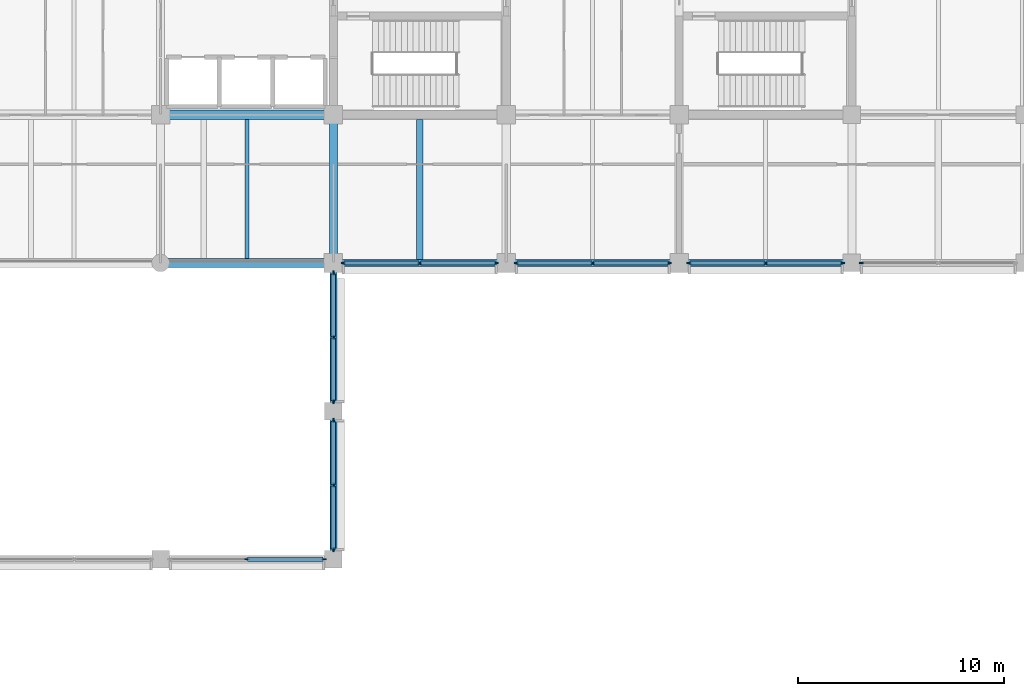
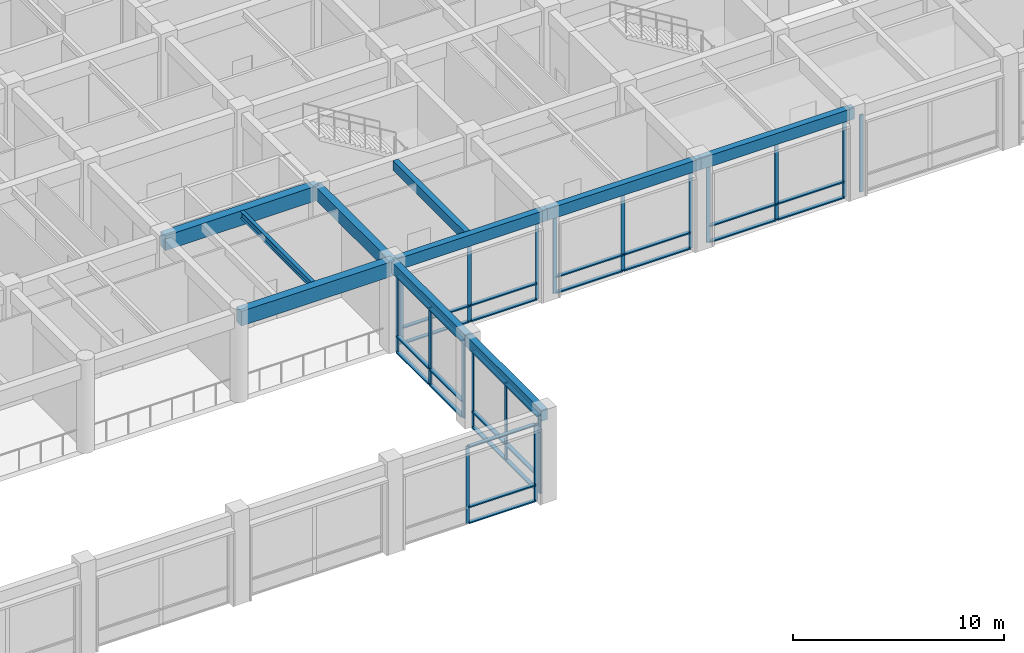
# One storey, part 9 of 51: 51 members, 10 beams, 7 elements without a shape of their own.
"""IFC4 building model written with IfcOpenShell, lengths in metres."""

from ifc_helpers import new_model, si_unit, direction, frame, origin, origin_2d, place, context, subcontext, project, spatial, rectangle, i_section, extrude, material, layer, layer_set, material_profile, profile_set, type_object, element, aggregate, save


model = new_model("IFC4")

# Units and contexts
model_context = context("Model", 3, precision=1e-05, world=origin(), true_north=direction((0.0, 1.0)))
body_context = subcontext(model_context, "Body", "Model", "MODEL_VIEW")
ifc_project = project(units=[si_unit("LENGTHUNIT", "METRE"), si_unit("AREAUNIT", "SQUARE_METRE"), si_unit("VOLUMEUNIT", "CUBIC_METRE"), si_unit("PLANEANGLEUNIT", "RADIAN"), si_unit("MASSUNIT", "GRAM", prefix="KILO")], contexts=[model_context])

# Site, building, storey
site_placement = place(None, origin())
site = spatial("IfcSite", under=ifc_project, at=site_placement, CompositionType="ELEMENT")
building_placement = place(site_placement, origin())
building = spatial("IfcBuilding", under=site, at=building_placement, Name="Chengyuan Square Courthouse", CompositionType="ELEMENT")
storey_placement = place(building_placement, frame((0.0, 0.0, 10.800048828125)))
storey = spatial("IfcBuildingStorey", under=building, at=storey_placement, Name="L03", CompositionType="ELEMENT", Elevation=10.800048828125)

# Beams
ifc_material_1 = material(Name="Concrete C40", Category="concrete")
ifc_material_profile_1 = material_profile(ifc_material_1, rectangle(XDim=0.449951171875, YDim=0.85009765625, at=origin_2d()), Name="RC-BM-450x850")
ifc_profile_set_1 = profile_set([ifc_material_profile_1], Name="Concrete C40")
beam_type_1 = type_object("IfcBeamType", Name="BM-01", PredefinedType="USERDEFINED", material=ifc_profile_set_1)
for number, where, z_axis, x_axis, name in (
    (1, (92.39990234375, 79.199951171875, 4.695068359375), (1.0, 0.0, 0.0), (0.0, 1.0, 0.0), "Girder BM-L03-2535"),
    (2, (92.39990234375, 86.39990234375, 4.695068359375), (1.0, 0.0, 0.0), (0.0, 1.0, 0.0), "Girder BM-L03-2555"),
):
    element("IfcBeam", number, at=place(storey_placement, frame(where, z_axis=z_axis, x_axis=x_axis)), inside=storey, type_object=beam_type_1, Name=name, ObjectType="GIRDER", PredefinedType="USERDEFINED", context=body_context, shape_type="SweptSolid", body=[
        extrude(rectangle(XDim=0.449951171875, YDim=0.85009765625, at=origin_2d()), origin(), (0.0, 0.0, 1.0), 8.400146484375),
    ])
ifc_material_profile_2 = material_profile(ifc_material_1, rectangle(XDim=0.39990234375, YDim=0.75, at=origin_2d()), Name="RC-BM-400x750")
ifc_profile_set_2 = profile_set([ifc_material_profile_2], Name="Concrete C40")
beam_type_2 = type_object("IfcBeamType", Name="BM-02", PredefinedType="USERDEFINED", material=ifc_profile_set_2)
beam_1_placement = place(storey_placement, frame((100.800048828125, 79.199951171875, 4.744873046875), z_axis=(0.0, 1.0, 0.0), x_axis=(-1.0, 0.0, 0.0)))
element("IfcBeam", 3, at=beam_1_placement, inside=storey, type_object=beam_type_2, Name="Girder BM-L03-2702", ObjectType="GIRDER", PredefinedType="USERDEFINED", context=body_context, shape_type="SweptSolid", body=[
    extrude(rectangle(XDim=0.39990234375, YDim=0.75, at=origin_2d()), origin(), (0.0, 0.0, 1.0), 7.199951171875),
])
ifc_material_profile_3 = material_profile(ifc_material_1, rectangle(XDim=0.35009765625, YDim=0.64990234375, at=origin_2d()), Name="RC-BM-350x650")
ifc_profile_set_3 = profile_set([ifc_material_profile_3], Name="Concrete C40")
beam_type_3 = type_object("IfcBeamType", Name="BM-03", PredefinedType="SPANDREL", material=ifc_profile_set_3)
beam_2_placement = place(storey_placement, frame((100.800048828125, 79.199951171875, 4.794921875), z_axis=(1.0, 0.0, 0.0), x_axis=(0.0, 1.0, 0.0)))
element("IfcBeam", 4, at=beam_2_placement, inside=storey, type_object=beam_type_3, Name="Girder BM-L03-2536", PredefinedType="SPANDREL", context=body_context, shape_type="SweptSolid", body=[
    extrude(rectangle(XDim=0.35009765625, YDim=0.64990234375, at=origin_2d()), origin(), (0.0, 0.0, 1.0), 8.39990234375),
])
beam_3_placement = place(storey_placement, frame((109.199951171875, 79.199951171875, 4.794921875), z_axis=(1.0, 0.0, 0.0), x_axis=(0.0, 1.0, 0.0)))
element("IfcBeam", 5, at=beam_3_placement, inside=storey, type_object=beam_type_3, Name="Girder BM-L03-2537", PredefinedType="SPANDREL", context=body_context, shape_type="SweptSolid", body=[
    extrude(rectangle(XDim=0.35009765625, YDim=0.64990234375, at=origin_2d()), origin(), (0.0, 0.0, 1.0), 8.400146484375),
])
beam_4_placement = place(storey_placement, frame((117.60009765625, 79.199951171875, 4.794921875), z_axis=(1.0, 0.0, 0.0), x_axis=(0.0, 1.0, 0.0)))
element("IfcBeam", 6, at=beam_4_placement, inside=storey, type_object=beam_type_3, Name="Girder BM-L03-2538", PredefinedType="SPANDREL", context=body_context, shape_type="SweptSolid", body=[
    extrude(rectangle(XDim=0.35009765625, YDim=0.64990234375, at=origin_2d()), origin(), (0.0, 0.0, 1.0), 8.39990234375),
])
for number, where, z_axis, x_axis, name in (
    (7, (100.800048828125, 64.800048828125, 4.794921875), (0.0, 1.0, 0.0), (-1.0, 0.0, 0.0), "Girder BM-L03-2700"),
    (8, (100.800048828125, 72.0, 4.794921875), (0.0, 1.0, 0.0), (-1.0, 0.0, 0.0), "Girder BM-L03-2701"),
):
    element("IfcBeam", number, at=place(storey_placement, frame(where, z_axis=z_axis, x_axis=x_axis)), inside=storey, type_object=beam_type_3, Name=name, PredefinedType="SPANDREL", context=body_context, shape_type="SweptSolid", body=[
        extrude(rectangle(XDim=0.35009765625, YDim=0.64990234375, at=origin_2d()), origin(), (0.0, 0.0, 1.0), 7.199951171875),
    ])
ifc_material_profile_4 = material_profile(ifc_material_1, rectangle(XDim=0.300048828125, YDim=0.550048828125, at=origin_2d()), Name="RC-BM-300x550")
ifc_profile_set_4 = profile_set([ifc_material_profile_4], Name="Concrete C40")
beam_type_4 = type_object("IfcBeamType", Name="BM-04", PredefinedType="BEAM", material=ifc_profile_set_4)
beam_5_placement = place(storey_placement, frame((105.0, 79.375, 4.844970703125), z_axis=(0.0, 1.0, 0.0), x_axis=(-1.0, 0.0, 0.0)))
element("IfcBeam", 9, at=beam_5_placement, inside=storey, type_object=beam_type_4, Name="Secondary Floor Beam SBM-L03-2806", PredefinedType="BEAM", context=body_context, shape_type="SweptSolid", body=[
    extrude(rectangle(XDim=0.300048828125, YDim=0.550048828125, at=origin_2d()), origin(), (0.0, 0.0, 1.0), 6.800048828125),
])
ifc_material_2 = material(Name="Steel Q355B", Category="steel")
ifc_material_profile_5 = material_profile(ifc_material_2, i_section(OverallWidth=0.199951171875, OverallDepth=0.39990234375, WebThickness=0.008056640625, FlangeThickness=0.012939453125, at=origin_2d()), Name="HN 400x200x8x13")
ifc_profile_set_5 = profile_set([ifc_material_profile_5], Name="Steel Q355B")
beam_type_5 = type_object("IfcBeamType", Name="BM-07", PredefinedType="BEAM", material=ifc_profile_set_5)
beam_6_placement = place(storey_placement, frame((96.60009765625, 79.425048828125, 4.919921875), z_axis=(0.0, 1.0, 0.0), x_axis=(-1.0, 0.0, 0.0)))
element("IfcBeam", 10, at=beam_6_placement, inside=storey, type_object=beam_type_5, Name="Secondary Floor Beam SBM-L03-2802", PredefinedType="BEAM", context=body_context, shape_type="SweptSolid", body=[
    extrude(i_section(OverallWidth=0.199951171875, OverallDepth=0.39990234375, WebThickness=0.008056640625, FlangeThickness=0.012939453125, at=origin_2d()), origin(), (0.0, 0.0, 1.0), 6.75),
])

# Curtain wall, members
ifc_material_3 = material(Name="Unitised Aluminium and Triple Low-E Glass", Category="aluminium")
ifc_layer_1 = layer(ifc_material_3, 0.199951171875)
ifc_layer_set_1 = layer_set([ifc_layer_1], Name="Unitised Aluminium and Triple Low-E Glass")
curtain_wall_type_1 = type_object("IfcCurtainWallType", Name="CW-07", PredefinedType="USERDEFINED", material=ifc_layer_set_1)
curtain_wall_1_placement = place(storey_placement, origin())
curtain_wall_1 = element("IfcCurtainWall", 11, at=curtain_wall_1_placement, inside=storey, type_object=curtain_wall_type_1, Name="Unitised Curtain Wall CW-L03-110", ObjectType="UNITISED CURTAIN WALL", PredefinedType="USERDEFINED")
ifc_material_4 = material(Name="Aluminium 6063-T6 Frame", Category="aluminium")
ifc_material_profile_6 = material_profile(ifc_material_4, rectangle(XDim=0.070068359375, YDim=0.199951171875, at=origin_2d()), Name="CW-MUL-70x200")
ifc_profile_set_6 = profile_set([ifc_material_profile_6], Name="Aluminium 6063-T6 Frame")
member_type_1 = type_object("IfcMemberType", Name="CWM-03", PredefinedType="MULLION", material=ifc_profile_set_6)
member_1_placement = place(storey_placement, frame((96.60009765625, 64.800048828125, 0.0), z_axis=(0.0, 0.0, 1.0), x_axis=(0.0, 1.0, 0.0)))
member_1 = element("IfcMember", 12, at=member_1_placement, type_object=member_type_1, Name="CW-07 mullion 2", PredefinedType="MULLION", context=body_context, shape_type="SweptSolid", body=[
    extrude(rectangle(XDim=0.070068359375, YDim=0.199951171875, at=origin_2d()), origin(), (0.0, 0.0, 1.0), 4.469970703125),
])
member_2_placement = place(storey_placement, frame((100.340087890625, 64.800048828125, 0.0), z_axis=(0.0, 0.0, 1.0), x_axis=(0.0, 1.0, 0.0)))
member_2 = element("IfcMember", 13, at=member_2_placement, type_object=member_type_1, Name="CW-07 mullion 3", PredefinedType="MULLION", context=body_context, shape_type="SweptSolid", body=[
    extrude(rectangle(XDim=0.070068359375, YDim=0.199951171875, at=origin_2d()), origin(), (0.0, 0.0, 1.0), 4.469970703125),
])

curtain_wall_2_placement = place(storey_placement, origin())
curtain_wall_2 = element("IfcCurtainWall", 14, at=curtain_wall_2_placement, inside=storey, type_object=curtain_wall_type_1, Name="Unitised Curtain Wall CW-L03-113", ObjectType="UNITISED CURTAIN WALL", PredefinedType="USERDEFINED")
member_3_placement = place(storey_placement, frame((101.284912109375, 79.199951171875, 0.0), z_axis=(0.0, 0.0, 1.0), x_axis=(0.0, 1.0, 0.0)))
member_3 = element("IfcMember", 15, at=member_3_placement, type_object=member_type_1, Name="CW-07 mullion 1", PredefinedType="MULLION", context=body_context, shape_type="SweptSolid", body=[
    extrude(rectangle(XDim=0.070068359375, YDim=0.199951171875, at=origin_2d()), origin(), (0.0, 0.0, 1.0), 4.469970703125),
])
member_4_placement = place(storey_placement, frame((105.0, 79.199951171875, 0.0), z_axis=(0.0, 0.0, 1.0), x_axis=(0.0, 1.0, 0.0)))
member_4 = element("IfcMember", 16, at=member_4_placement, type_object=member_type_1, Name="CW-07 mullion 2", PredefinedType="MULLION", context=body_context, shape_type="SweptSolid", body=[
    extrude(rectangle(XDim=0.070068359375, YDim=0.199951171875, at=origin_2d()), origin(), (0.0, 0.0, 1.0), 4.469970703125),
])
member_5_placement = place(storey_placement, frame((108.715087890625, 79.199951171875, 0.0), z_axis=(0.0, 0.0, 1.0), x_axis=(0.0, 1.0, 0.0)))
member_5 = element("IfcMember", 17, at=member_5_placement, type_object=member_type_1, Name="CW-07 mullion 3", PredefinedType="MULLION", context=body_context, shape_type="SweptSolid", body=[
    extrude(rectangle(XDim=0.070068359375, YDim=0.199951171875, at=origin_2d()), origin(), (0.0, 0.0, 1.0), 4.469970703125),
])

curtain_wall_3_placement = place(storey_placement, origin())
curtain_wall_3 = element("IfcCurtainWall", 18, at=curtain_wall_3_placement, inside=storey, type_object=curtain_wall_type_1, Name="Unitised Curtain Wall CW-L03-114", ObjectType="UNITISED CURTAIN WALL", PredefinedType="USERDEFINED")
member_6_placement = place(storey_placement, frame((109.68505859375, 79.199951171875, 0.0), z_axis=(0.0, 0.0, 1.0), x_axis=(0.0, 1.0, 0.0)))
member_6 = element("IfcMember", 19, at=member_6_placement, type_object=member_type_1, Name="CW-07 mullion 1", PredefinedType="MULLION", context=body_context, shape_type="SweptSolid", body=[
    extrude(rectangle(XDim=0.070068359375, YDim=0.199951171875, at=origin_2d()), origin(), (0.0, 0.0, 1.0), 4.469970703125),
])
member_7_placement = place(storey_placement, frame((113.39990234375, 79.199951171875, 0.0), z_axis=(0.0, 0.0, 1.0), x_axis=(0.0, 1.0, 0.0)))
member_7 = element("IfcMember", 20, at=member_7_placement, type_object=member_type_1, Name="CW-07 mullion 2", PredefinedType="MULLION", context=body_context, shape_type="SweptSolid", body=[
    extrude(rectangle(XDim=0.070068359375, YDim=0.199951171875, at=origin_2d()), origin(), (0.0, 0.0, 1.0), 4.469970703125),
])
member_8_placement = place(storey_placement, frame((117.114990234375, 79.199951171875, 0.0), z_axis=(0.0, 0.0, 1.0), x_axis=(0.0, 1.0, 0.0)))
member_8 = element("IfcMember", 21, at=member_8_placement, type_object=member_type_1, Name="CW-07 mullion 3", PredefinedType="MULLION", context=body_context, shape_type="SweptSolid", body=[
    extrude(rectangle(XDim=0.070068359375, YDim=0.199951171875, at=origin_2d()), origin(), (0.0, 0.0, 1.0), 4.469970703125),
])

curtain_wall_4_placement = place(storey_placement, origin())
curtain_wall_4 = element("IfcCurtainWall", 22, at=curtain_wall_4_placement, inside=storey, type_object=curtain_wall_type_1, Name="Unitised Curtain Wall CW-L03-115", ObjectType="UNITISED CURTAIN WALL", PredefinedType="USERDEFINED")
member_9_placement = place(storey_placement, frame((118.0849609375, 79.199951171875, 0.0), z_axis=(0.0, 0.0, 1.0), x_axis=(0.0, 1.0, 0.0)))
member_9 = element("IfcMember", 23, at=member_9_placement, type_object=member_type_1, Name="CW-07 mullion 1", PredefinedType="MULLION", context=body_context, shape_type="SweptSolid", body=[
    extrude(rectangle(XDim=0.070068359375, YDim=0.199951171875, at=origin_2d()), origin(), (0.0, 0.0, 1.0), 4.469970703125),
])
member_10_placement = place(storey_placement, frame((121.8125, 79.199951171875, 0.0), z_axis=(0.0, 0.0, 1.0), x_axis=(0.0, 1.0, 0.0)))
member_10 = element("IfcMember", 24, at=member_10_placement, type_object=member_type_1, Name="CW-07 mullion 2", PredefinedType="MULLION", context=body_context, shape_type="SweptSolid", body=[
    extrude(rectangle(XDim=0.070068359375, YDim=0.199951171875, at=origin_2d()), origin(), (0.0, 0.0, 1.0), 4.469970703125),
])
member_11_placement = place(storey_placement, frame((125.5400390625, 79.199951171875, 0.0), z_axis=(0.0, 0.0, 1.0), x_axis=(0.0, 1.0, 0.0)))
member_11 = element("IfcMember", 25, at=member_11_placement, type_object=member_type_1, Name="CW-07 mullion 3", PredefinedType="MULLION", context=body_context, shape_type="SweptSolid", body=[
    extrude(rectangle(XDim=0.070068359375, YDim=0.199951171875, at=origin_2d()), origin(), (0.0, 0.0, 1.0), 4.469970703125),
])

# Curtain wall, member
curtain_wall_5_placement = place(storey_placement, origin())
curtain_wall_5 = element("IfcCurtainWall", 26, at=curtain_wall_5_placement, inside=storey, type_object=curtain_wall_type_1, Name="Unitised Curtain Wall CW-L03-116", ObjectType="UNITISED CURTAIN WALL", PredefinedType="USERDEFINED")
member_12_placement = place(storey_placement, frame((126.4599609375, 79.199951171875, 0.0), z_axis=(0.0, 0.0, 1.0), x_axis=(0.0, 1.0, 0.0)))
member_12 = element("IfcMember", 27, at=member_12_placement, type_object=member_type_1, Name="CW-07 mullion 1", PredefinedType="MULLION", context=body_context, shape_type="SweptSolid", body=[
    extrude(rectangle(XDim=0.070068359375, YDim=0.199951171875, at=origin_2d()), origin(), (0.0, 0.0, 1.0), 4.469970703125),
])
aggregate(curtain_wall_5, [member_12])

# Curtain wall, members
ifc_layer_2 = layer(ifc_material_3, 0.219970703125)
ifc_layer_set_2 = layer_set([ifc_layer_2], Name="Unitised Aluminium and Triple Low-E Glass")
curtain_wall_type_2 = type_object("IfcCurtainWallType", Name="CW-20", PredefinedType="USERDEFINED", material=ifc_layer_set_2)
curtain_wall_6_placement = place(storey_placement, origin())
curtain_wall_6 = element("IfcCurtainWall", 28, at=curtain_wall_6_placement, inside=storey, type_object=curtain_wall_type_2, Name="Unitised Curtain Wall CW-L03-111", ObjectType="UNITISED CURTAIN WALL", PredefinedType="USERDEFINED")
ifc_material_profile_7 = material_profile(ifc_material_4, rectangle(XDim=0.080078125, YDim=0.219970703125, at=origin_2d()), Name="CW-MUL-80x220")
ifc_profile_set_7 = profile_set([ifc_material_profile_7], Name="Aluminium 6063-T6 Frame")
member_type_2 = type_object("IfcMemberType", Name="CWM-04", PredefinedType="MULLION", material=ifc_profile_set_7)
member_13_placement = place(storey_placement, frame((100.800048828125, 65.264892578125, 0.0), z_axis=(0.0, 0.0, 1.0), x_axis=(-1.0, 0.0, 0.0)))
member_13 = element("IfcMember", 29, at=member_13_placement, type_object=member_type_2, Name="CW-20 mullion 1", PredefinedType="MULLION", context=body_context, shape_type="SweptSolid", body=[
    extrude(rectangle(XDim=0.080078125, YDim=0.219970703125, at=origin_2d()), origin(), (0.0, 0.0, 1.0), 4.469970703125),
])
member_14_placement = place(storey_placement, frame((100.800048828125, 68.39990234375, 0.0), z_axis=(0.0, 0.0, 1.0), x_axis=(-1.0, 0.0, 0.0)))
member_14 = element("IfcMember", 30, at=member_14_placement, type_object=member_type_2, Name="CW-20 mullion 2", PredefinedType="MULLION", context=body_context, shape_type="SweptSolid", body=[
    extrude(rectangle(XDim=0.080078125, YDim=0.219970703125, at=origin_2d()), origin(), (0.0, 0.0, 1.0), 4.469970703125),
])
member_15_placement = place(storey_placement, frame((100.800048828125, 71.534912109375, 0.0), z_axis=(0.0, 0.0, 1.0), x_axis=(-1.0, 0.0, 0.0)))
member_15 = element("IfcMember", 31, at=member_15_placement, type_object=member_type_2, Name="CW-20 mullion 3", PredefinedType="MULLION", context=body_context, shape_type="SweptSolid", body=[
    extrude(rectangle(XDim=0.080078125, YDim=0.219970703125, at=origin_2d()), origin(), (0.0, 0.0, 1.0), 4.469970703125),
])

curtain_wall_7_placement = place(storey_placement, origin())
curtain_wall_7 = element("IfcCurtainWall", 32, at=curtain_wall_7_placement, inside=storey, type_object=curtain_wall_type_2, Name="Unitised Curtain Wall CW-L03-112", ObjectType="UNITISED CURTAIN WALL", PredefinedType="USERDEFINED")
member_16_placement = place(storey_placement, frame((100.800048828125, 72.465087890625, 0.0), z_axis=(0.0, 0.0, 1.0), x_axis=(-1.0, 0.0, 0.0)))
member_16 = element("IfcMember", 33, at=member_16_placement, type_object=member_type_2, Name="CW-20 mullion 1", PredefinedType="MULLION", context=body_context, shape_type="SweptSolid", body=[
    extrude(rectangle(XDim=0.080078125, YDim=0.219970703125, at=origin_2d()), origin(), (0.0, 0.0, 1.0), 4.469970703125),
])
member_17_placement = place(storey_placement, frame((100.800048828125, 75.58740234375, 0.0), z_axis=(0.0, 0.0, 1.0), x_axis=(-1.0, 0.0, 0.0)))
member_17 = element("IfcMember", 34, at=member_17_placement, type_object=member_type_2, Name="CW-20 mullion 2", PredefinedType="MULLION", context=body_context, shape_type="SweptSolid", body=[
    extrude(rectangle(XDim=0.080078125, YDim=0.219970703125, at=origin_2d()), origin(), (0.0, 0.0, 1.0), 4.469970703125),
])
member_18_placement = place(storey_placement, frame((100.800048828125, 78.7099609375, 0.0), z_axis=(0.0, 0.0, 1.0), x_axis=(-1.0, 0.0, 0.0)))
member_18 = element("IfcMember", 35, at=member_18_placement, type_object=member_type_2, Name="CW-20 mullion 3", PredefinedType="MULLION", context=body_context, shape_type="SweptSolid", body=[
    extrude(rectangle(XDim=0.080078125, YDim=0.219970703125, at=origin_2d()), origin(), (0.0, 0.0, 1.0), 4.469970703125),
])

# Member
ifc_material_profile_8 = material_profile(ifc_material_4, rectangle(XDim=0.199951171875, YDim=0.070068359375, at=origin_2d()), Name="CW-TRN-70x160")
ifc_profile_set_8 = profile_set([ifc_material_profile_8], Name="Aluminium 6063-T6 Frame")
member_type_3 = type_object("IfcMemberType", Name="CWT-03", PredefinedType="USERDEFINED", material=ifc_profile_set_8)
member_19_placement = place(storey_placement, frame((96.635009765625, 64.800048828125, 0.034912109375), z_axis=(1.0, 0.0, 0.0), x_axis=(0.0, 1.0, 0.0)))
member_19 = element("IfcMember", 36, at=member_19_placement, type_object=member_type_3, Name="CW-07 transom 2.1", ObjectType="TRANSOM", PredefinedType="USERDEFINED", context=body_context, shape_type="SweptSolid", body=[
    extrude(rectangle(XDim=0.199951171875, YDim=0.070068359375, at=origin_2d()), origin(), (0.0, 0.0, 1.0), 3.669921875),
])

member_20_placement = place(storey_placement, frame((96.635009765625, 64.800048828125, 0.949951171875), z_axis=(1.0, 0.0, 0.0), x_axis=(0.0, 1.0, 0.0)))
member_20 = element("IfcMember", 37, at=member_20_placement, type_object=member_type_3, Name="CW-07 transom 2.2", ObjectType="TRANSOM", PredefinedType="USERDEFINED", context=body_context, shape_type="SweptSolid", body=[
    extrude(rectangle(XDim=0.199951171875, YDim=0.070068359375, at=origin_2d()), origin(), (0.0, 0.0, 1.0), 3.669921875),
])

member_21_placement = place(storey_placement, frame((96.635009765625, 64.800048828125, 4.43505859375), z_axis=(1.0, 0.0, 0.0), x_axis=(0.0, 1.0, 0.0)))
member_21 = element("IfcMember", 38, at=member_21_placement, type_object=member_type_3, Name="CW-07 transom 2.3", ObjectType="TRANSOM", PredefinedType="USERDEFINED", context=body_context, shape_type="SweptSolid", body=[
    extrude(rectangle(XDim=0.199951171875, YDim=0.070068359375, at=origin_2d()), origin(), (0.0, 0.0, 1.0), 3.669921875),
])

aggregate(curtain_wall_1, [member_1, member_2, member_19, member_20, member_21])

member_22_placement = place(storey_placement, frame((101.320068359375, 79.199951171875, 0.034912109375), z_axis=(1.0, 0.0, 0.0), x_axis=(0.0, 1.0, 0.0)))
member_22 = element("IfcMember", 39, at=member_22_placement, type_object=member_type_3, Name="CW-07 transom 1.1", ObjectType="TRANSOM", PredefinedType="USERDEFINED", context=body_context, shape_type="SweptSolid", body=[
    extrude(rectangle(XDim=0.199951171875, YDim=0.070068359375, at=origin_2d()), origin(), (0.0, 0.0, 1.0), 3.64501953125),
])

member_23_placement = place(storey_placement, frame((101.320068359375, 79.199951171875, 0.949951171875), z_axis=(1.0, 0.0, 0.0), x_axis=(0.0, 1.0, 0.0)))
member_23 = element("IfcMember", 40, at=member_23_placement, type_object=member_type_3, Name="CW-07 transom 1.2", ObjectType="TRANSOM", PredefinedType="USERDEFINED", context=body_context, shape_type="SweptSolid", body=[
    extrude(rectangle(XDim=0.199951171875, YDim=0.070068359375, at=origin_2d()), origin(), (0.0, 0.0, 1.0), 3.64501953125),
])

member_24_placement = place(storey_placement, frame((101.320068359375, 79.199951171875, 4.43505859375), z_axis=(1.0, 0.0, 0.0), x_axis=(0.0, 1.0, 0.0)))
member_24 = element("IfcMember", 41, at=member_24_placement, type_object=member_type_3, Name="CW-07 transom 1.3", ObjectType="TRANSOM", PredefinedType="USERDEFINED", context=body_context, shape_type="SweptSolid", body=[
    extrude(rectangle(XDim=0.199951171875, YDim=0.070068359375, at=origin_2d()), origin(), (0.0, 0.0, 1.0), 3.64501953125),
])

member_25_placement = place(storey_placement, frame((105.034912109375, 79.199951171875, 0.034912109375), z_axis=(1.0, 0.0, 0.0), x_axis=(0.0, 1.0, 0.0)))
member_25 = element("IfcMember", 42, at=member_25_placement, type_object=member_type_3, Name="CW-07 transom 2.1", ObjectType="TRANSOM", PredefinedType="USERDEFINED", context=body_context, shape_type="SweptSolid", body=[
    extrude(rectangle(XDim=0.199951171875, YDim=0.070068359375, at=origin_2d()), origin(), (0.0, 0.0, 1.0), 3.64501953125),
])

member_26_placement = place(storey_placement, frame((105.034912109375, 79.199951171875, 0.949951171875), z_axis=(1.0, 0.0, 0.0), x_axis=(0.0, 1.0, 0.0)))
member_26 = element("IfcMember", 43, at=member_26_placement, type_object=member_type_3, Name="CW-07 transom 2.2", ObjectType="TRANSOM", PredefinedType="USERDEFINED", context=body_context, shape_type="SweptSolid", body=[
    extrude(rectangle(XDim=0.199951171875, YDim=0.070068359375, at=origin_2d()), origin(), (0.0, 0.0, 1.0), 3.64501953125),
])

member_27_placement = place(storey_placement, frame((105.034912109375, 79.199951171875, 4.43505859375), z_axis=(1.0, 0.0, 0.0), x_axis=(0.0, 1.0, 0.0)))
member_27 = element("IfcMember", 44, at=member_27_placement, type_object=member_type_3, Name="CW-07 transom 2.3", ObjectType="TRANSOM", PredefinedType="USERDEFINED", context=body_context, shape_type="SweptSolid", body=[
    extrude(rectangle(XDim=0.199951171875, YDim=0.070068359375, at=origin_2d()), origin(), (0.0, 0.0, 1.0), 3.64501953125),
])

aggregate(curtain_wall_2, [member_3, member_4, member_5, member_22, member_23, member_24, member_25, member_26, member_27])

member_28_placement = place(storey_placement, frame((109.719970703125, 79.199951171875, 0.034912109375), z_axis=(1.0, 0.0, 0.0), x_axis=(0.0, 1.0, 0.0)))
member_28 = element("IfcMember", 45, at=member_28_placement, type_object=member_type_3, Name="CW-07 transom 1.1", ObjectType="TRANSOM", PredefinedType="USERDEFINED", context=body_context, shape_type="SweptSolid", body=[
    extrude(rectangle(XDim=0.199951171875, YDim=0.070068359375, at=origin_2d()), origin(), (0.0, 0.0, 1.0), 3.64501953125),
])

member_29_placement = place(storey_placement, frame((109.719970703125, 79.199951171875, 0.949951171875), z_axis=(1.0, 0.0, 0.0), x_axis=(0.0, 1.0, 0.0)))
member_29 = element("IfcMember", 46, at=member_29_placement, type_object=member_type_3, Name="CW-07 transom 1.2", ObjectType="TRANSOM", PredefinedType="USERDEFINED", context=body_context, shape_type="SweptSolid", body=[
    extrude(rectangle(XDim=0.199951171875, YDim=0.070068359375, at=origin_2d()), origin(), (0.0, 0.0, 1.0), 3.64501953125),
])

member_30_placement = place(storey_placement, frame((109.719970703125, 79.199951171875, 4.43505859375), z_axis=(1.0, 0.0, 0.0), x_axis=(0.0, 1.0, 0.0)))
member_30 = element("IfcMember", 47, at=member_30_placement, type_object=member_type_3, Name="CW-07 transom 1.3", ObjectType="TRANSOM", PredefinedType="USERDEFINED", context=body_context, shape_type="SweptSolid", body=[
    extrude(rectangle(XDim=0.199951171875, YDim=0.070068359375, at=origin_2d()), origin(), (0.0, 0.0, 1.0), 3.64501953125),
])

member_31_placement = place(storey_placement, frame((113.43505859375, 79.199951171875, 0.034912109375), z_axis=(1.0, 0.0, 0.0), x_axis=(0.0, 1.0, 0.0)))
member_31 = element("IfcMember", 48, at=member_31_placement, type_object=member_type_3, Name="CW-07 transom 2.1", ObjectType="TRANSOM", PredefinedType="USERDEFINED", context=body_context, shape_type="SweptSolid", body=[
    extrude(rectangle(XDim=0.199951171875, YDim=0.070068359375, at=origin_2d()), origin(), (0.0, 0.0, 1.0), 3.64501953125),
])

member_32_placement = place(storey_placement, frame((113.43505859375, 79.199951171875, 0.949951171875), z_axis=(1.0, 0.0, 0.0), x_axis=(0.0, 1.0, 0.0)))
member_32 = element("IfcMember", 49, at=member_32_placement, type_object=member_type_3, Name="CW-07 transom 2.2", ObjectType="TRANSOM", PredefinedType="USERDEFINED", context=body_context, shape_type="SweptSolid", body=[
    extrude(rectangle(XDim=0.199951171875, YDim=0.070068359375, at=origin_2d()), origin(), (0.0, 0.0, 1.0), 3.64501953125),
])

member_33_placement = place(storey_placement, frame((113.43505859375, 79.199951171875, 4.43505859375), z_axis=(1.0, 0.0, 0.0), x_axis=(0.0, 1.0, 0.0)))
member_33 = element("IfcMember", 50, at=member_33_placement, type_object=member_type_3, Name="CW-07 transom 2.3", ObjectType="TRANSOM", PredefinedType="USERDEFINED", context=body_context, shape_type="SweptSolid", body=[
    extrude(rectangle(XDim=0.199951171875, YDim=0.070068359375, at=origin_2d()), origin(), (0.0, 0.0, 1.0), 3.64501953125),
])

aggregate(curtain_wall_3, [member_6, member_7, member_8, member_28, member_29, member_30, member_31, member_32, member_33])

member_34_placement = place(storey_placement, frame((118.1201171875, 79.199951171875, 0.034912109375), z_axis=(1.0, 0.0, 0.0), x_axis=(0.0, 1.0, 0.0)))
member_34 = element("IfcMember", 51, at=member_34_placement, type_object=member_type_3, Name="CW-07 transom 1.1", ObjectType="TRANSOM", PredefinedType="USERDEFINED", context=body_context, shape_type="SweptSolid", body=[
    extrude(rectangle(XDim=0.199951171875, YDim=0.070068359375, at=origin_2d()), origin(), (0.0, 0.0, 1.0), 3.657470703125),
])

member_35_placement = place(storey_placement, frame((118.1201171875, 79.199951171875, 0.949951171875), z_axis=(1.0, 0.0, 0.0), x_axis=(0.0, 1.0, 0.0)))
member_35 = element("IfcMember", 52, at=member_35_placement, type_object=member_type_3, Name="CW-07 transom 1.2", ObjectType="TRANSOM", PredefinedType="USERDEFINED", context=body_context, shape_type="SweptSolid", body=[
    extrude(rectangle(XDim=0.199951171875, YDim=0.070068359375, at=origin_2d()), origin(), (0.0, 0.0, 1.0), 3.657470703125),
])

member_36_placement = place(storey_placement, frame((118.1201171875, 79.199951171875, 4.43505859375), z_axis=(1.0, 0.0, 0.0), x_axis=(0.0, 1.0, 0.0)))
member_36 = element("IfcMember", 53, at=member_36_placement, type_object=member_type_3, Name="CW-07 transom 1.3", ObjectType="TRANSOM", PredefinedType="USERDEFINED", context=body_context, shape_type="SweptSolid", body=[
    extrude(rectangle(XDim=0.199951171875, YDim=0.070068359375, at=origin_2d()), origin(), (0.0, 0.0, 1.0), 3.657470703125),
])

member_37_placement = place(storey_placement, frame((121.847412109375, 79.199951171875, 0.034912109375), z_axis=(1.0, 0.0, 0.0), x_axis=(0.0, 1.0, 0.0)))
member_37 = element("IfcMember", 54, at=member_37_placement, type_object=member_type_3, Name="CW-07 transom 2.1", ObjectType="TRANSOM", PredefinedType="USERDEFINED", context=body_context, shape_type="SweptSolid", body=[
    extrude(rectangle(XDim=0.199951171875, YDim=0.070068359375, at=origin_2d()), origin(), (0.0, 0.0, 1.0), 3.657470703125),
])

member_38_placement = place(storey_placement, frame((121.847412109375, 79.199951171875, 0.949951171875), z_axis=(1.0, 0.0, 0.0), x_axis=(0.0, 1.0, 0.0)))
member_38 = element("IfcMember", 55, at=member_38_placement, type_object=member_type_3, Name="CW-07 transom 2.2", ObjectType="TRANSOM", PredefinedType="USERDEFINED", context=body_context, shape_type="SweptSolid", body=[
    extrude(rectangle(XDim=0.199951171875, YDim=0.070068359375, at=origin_2d()), origin(), (0.0, 0.0, 1.0), 3.657470703125),
])

member_39_placement = place(storey_placement, frame((121.847412109375, 79.199951171875, 4.43505859375), z_axis=(1.0, 0.0, 0.0), x_axis=(0.0, 1.0, 0.0)))
member_39 = element("IfcMember", 56, at=member_39_placement, type_object=member_type_3, Name="CW-07 transom 2.3", ObjectType="TRANSOM", PredefinedType="USERDEFINED", context=body_context, shape_type="SweptSolid", body=[
    extrude(rectangle(XDim=0.199951171875, YDim=0.070068359375, at=origin_2d()), origin(), (0.0, 0.0, 1.0), 3.657470703125),
])

aggregate(curtain_wall_4, [member_9, member_10, member_11, member_34, member_35, member_36, member_37, member_38, member_39])

ifc_material_profile_9 = material_profile(ifc_material_4, rectangle(XDim=0.219970703125, YDim=0.080078125, at=origin_2d()), Name="CW-TRN-80x180")
ifc_profile_set_9 = profile_set([ifc_material_profile_9], Name="Aluminium 6063-T6 Frame")
member_type_4 = type_object("IfcMemberType", Name="CWT-04", PredefinedType="USERDEFINED", material=ifc_profile_set_9)
member_40_placement = place(storey_placement, frame((100.800048828125, 65.304931640625, 0.0400390625), z_axis=(0.0, 1.0, 0.0), x_axis=(-1.0, 0.0, 0.0)))
member_40 = element("IfcMember", 57, at=member_40_placement, type_object=member_type_4, Name="CW-20 transom 1.1", ObjectType="TRANSOM", PredefinedType="USERDEFINED", context=body_context, shape_type="SweptSolid", body=[
    extrude(rectangle(XDim=0.219970703125, YDim=0.080078125, at=origin_2d()), origin(), (0.0, 0.0, 1.0), 3.05517578125),
])

member_41_placement = place(storey_placement, frame((100.800048828125, 65.304931640625, 0.949951171875), z_axis=(0.0, 1.0, 0.0), x_axis=(-1.0, 0.0, 0.0)))
member_41 = element("IfcMember", 58, at=member_41_placement, type_object=member_type_4, Name="CW-20 transom 1.2", ObjectType="TRANSOM", PredefinedType="USERDEFINED", context=body_context, shape_type="SweptSolid", body=[
    extrude(rectangle(XDim=0.219970703125, YDim=0.080078125, at=origin_2d()), origin(), (0.0, 0.0, 1.0), 3.05517578125),
])

member_42_placement = place(storey_placement, frame((100.800048828125, 65.304931640625, 4.429931640625), z_axis=(0.0, 1.0, 0.0), x_axis=(-1.0, 0.0, 0.0)))
member_42 = element("IfcMember", 59, at=member_42_placement, type_object=member_type_4, Name="CW-20 transom 1.3", ObjectType="TRANSOM", PredefinedType="USERDEFINED", context=body_context, shape_type="SweptSolid", body=[
    extrude(rectangle(XDim=0.219970703125, YDim=0.080078125, at=origin_2d()), origin(), (0.0, 0.0, 1.0), 3.05517578125),
])

member_43_placement = place(storey_placement, frame((100.800048828125, 68.43994140625, 0.0400390625), z_axis=(0.0, 1.0, 0.0), x_axis=(-1.0, 0.0, 0.0)))
member_43 = element("IfcMember", 60, at=member_43_placement, type_object=member_type_4, Name="CW-20 transom 2.1", ObjectType="TRANSOM", PredefinedType="USERDEFINED", context=body_context, shape_type="SweptSolid", body=[
    extrude(rectangle(XDim=0.219970703125, YDim=0.080078125, at=origin_2d()), origin(), (0.0, 0.0, 1.0), 3.05517578125),
])

member_44_placement = place(storey_placement, frame((100.800048828125, 68.43994140625, 0.949951171875), z_axis=(0.0, 1.0, 0.0), x_axis=(-1.0, 0.0, 0.0)))
member_44 = element("IfcMember", 61, at=member_44_placement, type_object=member_type_4, Name="CW-20 transom 2.2", ObjectType="TRANSOM", PredefinedType="USERDEFINED", context=body_context, shape_type="SweptSolid", body=[
    extrude(rectangle(XDim=0.219970703125, YDim=0.080078125, at=origin_2d()), origin(), (0.0, 0.0, 1.0), 3.05517578125),
])

member_45_placement = place(storey_placement, frame((100.800048828125, 68.43994140625, 4.429931640625), z_axis=(0.0, 1.0, 0.0), x_axis=(-1.0, 0.0, 0.0)))
member_45 = element("IfcMember", 62, at=member_45_placement, type_object=member_type_4, Name="CW-20 transom 2.3", ObjectType="TRANSOM", PredefinedType="USERDEFINED", context=body_context, shape_type="SweptSolid", body=[
    extrude(rectangle(XDim=0.219970703125, YDim=0.080078125, at=origin_2d()), origin(), (0.0, 0.0, 1.0), 3.05517578125),
])

aggregate(curtain_wall_6, [member_13, member_14, member_15, member_40, member_41, member_42, member_43, member_44, member_45])

member_46_placement = place(storey_placement, frame((100.800048828125, 72.5048828125, 0.0400390625), z_axis=(0.0, 1.0, 0.0), x_axis=(-1.0, 0.0, 0.0)))
member_46 = element("IfcMember", 63, at=member_46_placement, type_object=member_type_4, Name="CW-20 transom 1.1", ObjectType="TRANSOM", PredefinedType="USERDEFINED", context=body_context, shape_type="SweptSolid", body=[
    extrude(rectangle(XDim=0.219970703125, YDim=0.080078125, at=origin_2d()), origin(), (0.0, 0.0, 1.0), 3.042724609375),
])

member_47_placement = place(storey_placement, frame((100.800048828125, 72.5048828125, 0.949951171875), z_axis=(0.0, 1.0, 0.0), x_axis=(-1.0, 0.0, 0.0)))
member_47 = element("IfcMember", 64, at=member_47_placement, type_object=member_type_4, Name="CW-20 transom 1.2", ObjectType="TRANSOM", PredefinedType="USERDEFINED", context=body_context, shape_type="SweptSolid", body=[
    extrude(rectangle(XDim=0.219970703125, YDim=0.080078125, at=origin_2d()), origin(), (0.0, 0.0, 1.0), 3.042724609375),
])

member_48_placement = place(storey_placement, frame((100.800048828125, 72.5048828125, 4.429931640625), z_axis=(0.0, 1.0, 0.0), x_axis=(-1.0, 0.0, 0.0)))
member_48 = element("IfcMember", 65, at=member_48_placement, type_object=member_type_4, Name="CW-20 transom 1.3", ObjectType="TRANSOM", PredefinedType="USERDEFINED", context=body_context, shape_type="SweptSolid", body=[
    extrude(rectangle(XDim=0.219970703125, YDim=0.080078125, at=origin_2d()), origin(), (0.0, 0.0, 1.0), 3.042724609375),
])

member_49_placement = place(storey_placement, frame((100.800048828125, 75.62744140625, 0.0400390625), z_axis=(0.0, 1.0, 0.0), x_axis=(-1.0, 0.0, 0.0)))
member_49 = element("IfcMember", 66, at=member_49_placement, type_object=member_type_4, Name="CW-20 transom 2.1", ObjectType="TRANSOM", PredefinedType="USERDEFINED", context=body_context, shape_type="SweptSolid", body=[
    extrude(rectangle(XDim=0.219970703125, YDim=0.080078125, at=origin_2d()), origin(), (0.0, 0.0, 1.0), 3.04248046875),
])

member_50_placement = place(storey_placement, frame((100.800048828125, 75.62744140625, 0.949951171875), z_axis=(0.0, 1.0, 0.0), x_axis=(-1.0, 0.0, 0.0)))
member_50 = element("IfcMember", 67, at=member_50_placement, type_object=member_type_4, Name="CW-20 transom 2.2", ObjectType="TRANSOM", PredefinedType="USERDEFINED", context=body_context, shape_type="SweptSolid", body=[
    extrude(rectangle(XDim=0.219970703125, YDim=0.080078125, at=origin_2d()), origin(), (0.0, 0.0, 1.0), 3.04248046875),
])

member_51_placement = place(storey_placement, frame((100.800048828125, 75.62744140625, 4.429931640625), z_axis=(0.0, 1.0, 0.0), x_axis=(-1.0, 0.0, 0.0)))
member_51 = element("IfcMember", 68, at=member_51_placement, type_object=member_type_4, Name="CW-20 transom 2.3", ObjectType="TRANSOM", PredefinedType="USERDEFINED", context=body_context, shape_type="SweptSolid", body=[
    extrude(rectangle(XDim=0.219970703125, YDim=0.080078125, at=origin_2d()), origin(), (0.0, 0.0, 1.0), 3.04248046875),
])

aggregate(curtain_wall_7, [member_16, member_17, member_18, member_46, member_47, member_48, member_49, member_50, member_51])

save(model, "model.ifc")
